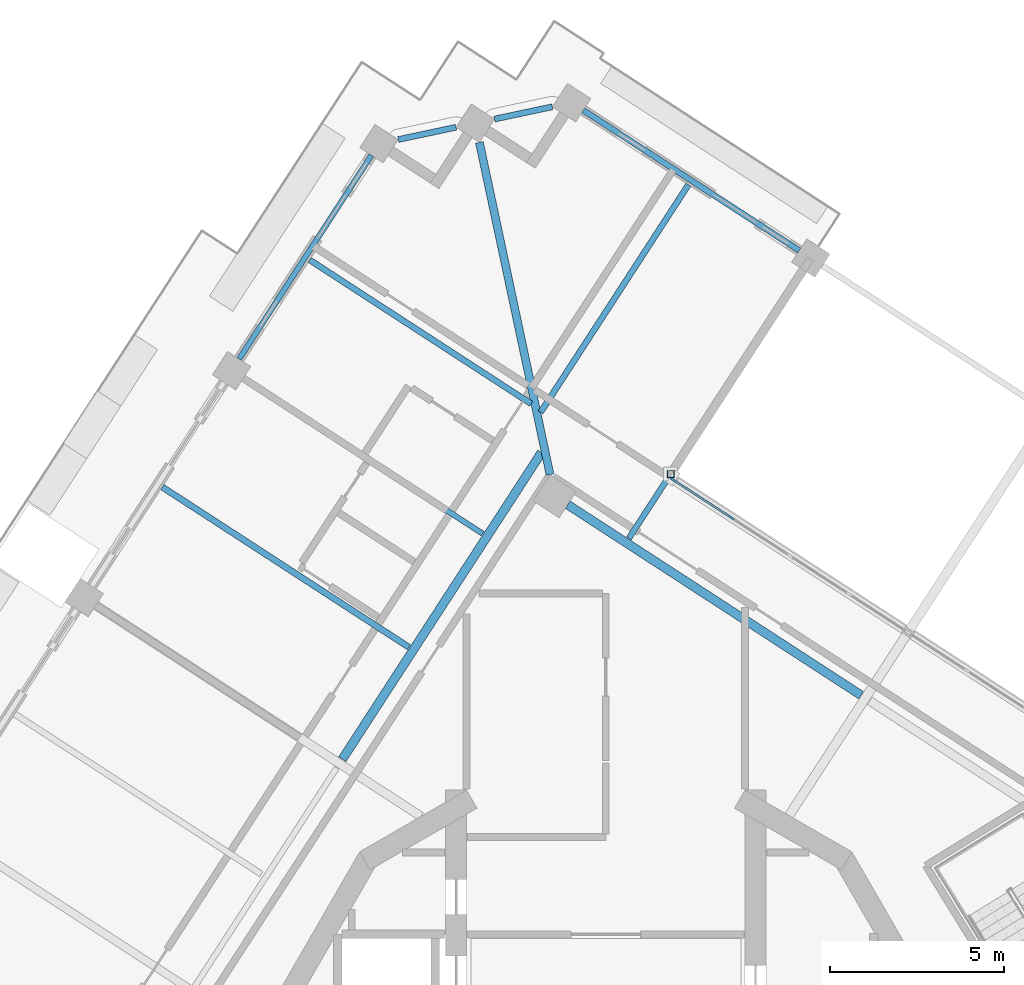
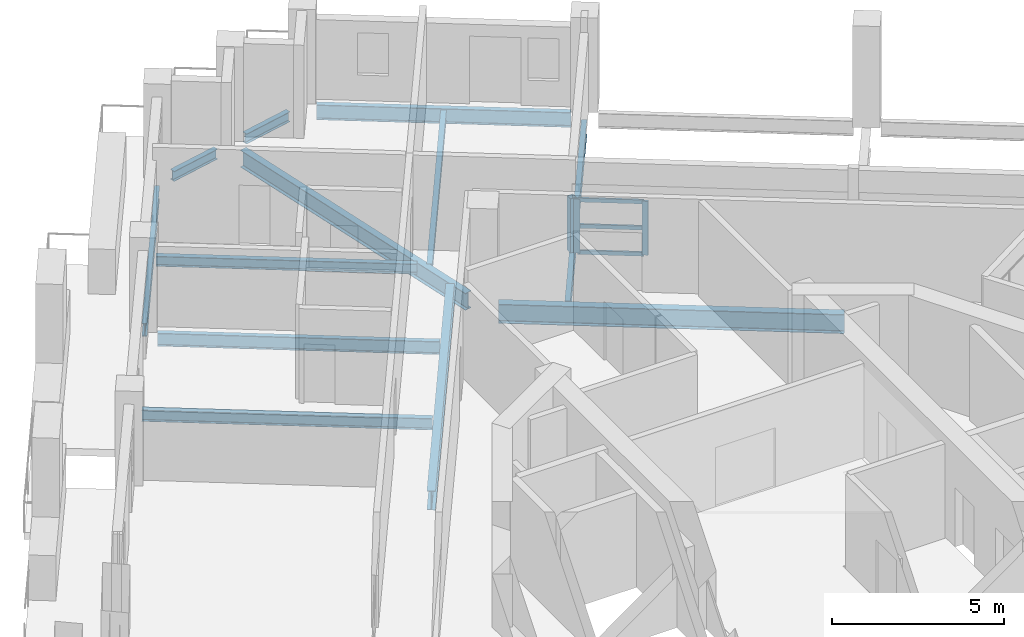
# One storey, part 2 of 17: 12 beams, 6 members, 1 element without a shape of its own.
"""IFC4 building model written with IfcOpenShell, lengths in metres."""

from ifc_helpers import new_model, si_unit, direction, frame, origin, origin_2d, place, context, subcontext, project, spatial, rectangle, hollow_rectangle, i_section, extrude, material, material_profile, profile_set, type_object, element, aggregate, save


model = new_model("IFC4")

# Units and contexts
model_context = context("Model", 3, precision=1e-05, world=origin(), true_north=direction((0.0, 1.0)))
body_context = subcontext(model_context, "Body", "Model", "MODEL_VIEW")
ifc_project = project(units=[si_unit("LENGTHUNIT", "METRE"), si_unit("AREAUNIT", "SQUARE_METRE"), si_unit("VOLUMEUNIT", "CUBIC_METRE"), si_unit("PLANEANGLEUNIT", "RADIAN"), si_unit("MASSUNIT", "GRAM", prefix="KILO")], contexts=[model_context])

# Site, building, storey
site_placement = place(None, origin())
site = spatial("IfcSite", under=ifc_project, at=site_placement, CompositionType="ELEMENT")
building_placement = place(site_placement, origin())
building = spatial("IfcBuilding", under=site, at=building_placement, Name="Cantera Rosa Tower", CompositionType="ELEMENT")
storey_placement = place(building_placement, frame((0.0, 0.0, 275.699951171875)))
storey = spatial("IfcBuildingStorey", under=building, at=storey_placement, Name="L62", CompositionType="ELEMENT", Elevation=275.699951171875)

# Curtain wall, members
ifc_material_1 = material(Name="Aluminium frame with clear glass", Category="aluminium")
curtain_wall_type = type_object("IfcCurtainWallType", Name="CW1 TERRACE POCKET GLAZING", PredefinedType="NOTDEFINED", material=ifc_material_1)
curtain_wall_placement = place(storey_placement, origin())
curtain_wall = element("IfcCurtainWall", 1, at=curtain_wall_placement, inside=storey, type_object=curtain_wall_type, Name="CW1 CW1", PredefinedType="NOTDEFINED")
ifc_material_2 = material(Name="Anodised bronze aluminium", Category="aluminium")
ifc_material_profile_1 = material_profile(ifc_material_2, rectangle(XDim=0.06005859375, YDim=0.179931640625, at=origin_2d()), Name="CW-MULLION 60x180 POCKET")
ifc_profile_set_1 = profile_set([ifc_material_profile_1], Name="Anodised bronze aluminium")
member_type_1 = type_object("IfcMemberType", Name="CW-MULLION 60x180 POCKET", PredefinedType="MULLION", material=ifc_profile_set_1)
member_1_placement = place(storey_placement, frame((3.60791015625, 16.67529296875, 0.0), z_axis=(0.0, 0.0, 1.0), x_axis=(-0.544639034971, -0.838670567974, 0.0)))
member_1 = element("IfcMember", 2, at=member_1_placement, type_object=member_type_1, Name="CW1 mullion 8", PredefinedType="MULLION", context=body_context, shape_type="SweptSolid", body=[
    extrude(rectangle(XDim=0.06005859375, YDim=0.179931640625, at=origin_2d()), origin(), (0.0, 0.0, 1.0), 1.912109375),
])
member_2_placement = place(storey_placement, frame((1.93994140625, 17.75830078125, 0.0), z_axis=(0.0, 0.0, 1.0), x_axis=(-0.544639034971, -0.838670567974, 0.0)))
member_2 = element("IfcMember", 3, at=member_2_placement, type_object=member_type_1, Name="CW1 mullion 9", PredefinedType="MULLION", context=body_context, shape_type="SweptSolid", body=[
    extrude(rectangle(XDim=0.06005859375, YDim=0.179931640625, at=origin_2d()), origin(), (0.0, 0.0, 1.0), 1.912109375),
])
ifc_material_3 = material(Name="Anodised bronze aluminium", Category="aluminium")
ifc_material_profile_2 = material_profile(ifc_material_3, rectangle(XDim=0.06005859375, YDim=0.139892578125, at=origin_2d()), Name="CW-TRANSOM 60x140 POCKET")
ifc_profile_set_2 = profile_set([ifc_material_profile_2], Name="Anodised bronze aluminium")
member_type_2 = type_object("IfcMemberType", Name="CW-TRANSOM 60x140 POCKET", PredefinedType="USERDEFINED", material=ifc_profile_set_2)
member_3_placement = place(storey_placement, frame((3.58251953125, 16.691650390625, 0.030029296875), z_axis=(-0.838631554261, 0.544699106111, 0.0), x_axis=(-0.544699106111, -0.838631554261, 0.0)))
member_3 = element("IfcMember", 4, at=member_3_placement, type_object=member_type_2, Name="CW1 transom 8.1", ObjectType="TRANSOM", PredefinedType="USERDEFINED", context=body_context, shape_type="SweptSolid", body=[
    extrude(rectangle(XDim=0.06005859375, YDim=0.139892578125, at=origin_2d()), origin(), (0.0, 0.0, 1.0), 1.9287109375),
])
member_4_placement = place(storey_placement, frame((3.58251953125, 16.691650390625, 0.9560546875), z_axis=(-0.838631554261, 0.544699106111, 0.0), x_axis=(-0.544699106111, -0.838631554261, 0.0)))
member_4 = element("IfcMember", 5, at=member_4_placement, type_object=member_type_2, Name="CW1 transom 8.2", ObjectType="TRANSOM", PredefinedType="USERDEFINED", context=body_context, shape_type="SweptSolid", body=[
    extrude(rectangle(XDim=0.06005859375, YDim=0.139892578125, at=origin_2d()), origin(), (0.0, 0.0, 1.0), 1.9287109375),
])
member_5_placement = place(storey_placement, frame((3.58251953125, 16.691650390625, 1.882080078125), z_axis=(-0.838631554261, 0.544699106111, 0.0), x_axis=(-0.544699106111, -0.838631554261, 0.0)))
member_5 = element("IfcMember", 6, at=member_5_placement, type_object=member_type_2, Name="CW1 transom 8.3", ObjectType="TRANSOM", PredefinedType="USERDEFINED", context=body_context, shape_type="SweptSolid", body=[
    extrude(rectangle(XDim=0.06005859375, YDim=0.139892578125, at=origin_2d()), origin(), (0.0, 0.0, 1.0), 1.9287109375),
])
aggregate(curtain_wall, [member_1, member_2, member_3, member_4, member_5])

# Member
ifc_material_4 = material(Name="Steel ASTM A992 (Fy 345 MPa)", Category="steel")
ifc_material_profile_3 = material_profile(ifc_material_4, hollow_rectangle(XDim=0.199951171875, YDim=0.199951171875, WallThickness=0.010009765625, at=origin_2d()), Name="LINTEL POST RHS 200x200x10")
ifc_profile_set_3 = profile_set([ifc_material_profile_3], Name="Steel ASTM A992 (Fy 345 MPa)")
member_type_3 = type_object("IfcMemberType", Name="LINTEL POST RHS 200x200x10", PredefinedType="USERDEFINED", material=ifc_profile_set_3)
member_6_placement = place(storey_placement, frame((1.864501953125, 17.9267578125, 0.0), z_axis=(0.0, 0.0, 1.0), x_axis=(1.0, 0.0, 0.0)))
element("IfcMember", 7, at=member_6_placement, inside=storey, type_object=member_type_3, Name="LINTEL POST L62-2", ObjectType="LINTEL POST", PredefinedType="USERDEFINED", context=body_context, shape_type="SweptSolid", body=[
    extrude(hollow_rectangle(XDim=0.199951171875, YDim=0.199951171875, WallThickness=0.010009765625, at=origin_2d()), origin(), (0.0, 0.0, 1.0), 1.9140625),
])

# Beams
ifc_material_5 = material(Name="Steel ASTM A992 (Fy 345 MPa)", Category="steel")
ifc_material_profile_4 = material_profile(ifc_material_5, i_section(OverallWidth=0.154052734375, OverallDepth=0.4599609375, WebThickness=0.009033203125, FlangeThickness=0.015380859375, FilletRadius=0.01025390625, at=origin_2d()), Name="W460X68")
ifc_profile_set_4 = profile_set([ifc_material_profile_4], Name="Steel ASTM A992 (Fy 345 MPa)")
beam_type_1 = type_object("IfcBeamType", Name="STEEL BEAM W460X68", PredefinedType="BEAM", material=ifc_profile_set_4)
beam_1_placement = place(storey_placement, frame((-10.41748046875, 20.68017578125, -0.47998046875), z_axis=(0.838672777751, -0.544635632198, 0.0), x_axis=(0.544635632198, 0.838672777751, 0.0)))
element("IfcBeam", 8, at=beam_1_placement, inside=storey, type_object=beam_type_1, Name="G-Z5-04 L62", PredefinedType="BEAM", context=body_context, shape_type="SweptSolid", body=[
    extrude(i_section(OverallWidth=0.154052734375, OverallDepth=0.4599609375, WebThickness=0.009033203125, FlangeThickness=0.015380859375, FilletRadius=0.01025390625, at=origin_2d()), origin(), (0.0, 0.0, 1.0), 8.2001953125),
])
ifc_material_6 = material(Name="Steel ASTM A992 (Fy 345 MPa)", Category="steel")
ifc_material_profile_5 = material_profile(ifc_material_6, i_section(OverallWidth=0.166015625, OverallDepth=0.528076171875, WebThickness=0.009765625, FlangeThickness=0.013671875, FilletRadius=0.0126953125, at=origin_2d()), Name="W530X74")
ifc_profile_set_5 = profile_set([ifc_material_profile_5], Name="Steel ASTM A992 (Fy 345 MPa)")
beam_type_2 = type_object("IfcBeamType", Name="STEEL BEAM W530X74", PredefinedType="BEAM", material=ifc_profile_set_5)
beam_2_placement = place(storey_placement, frame((5.6767578125, 23.79736328125, -0.513916015625), z_axis=(-0.544622654601, -0.838681205283, 0.0), x_axis=(0.838681205283, -0.544622654601, 0.0)))
element("IfcBeam", 9, at=beam_2_placement, inside=storey, type_object=beam_type_2, Name="G-Z5-03 L62", PredefinedType="BEAM", context=body_context, shape_type="SweptSolid", body=[
    extrude(i_section(OverallWidth=0.166015625, OverallDepth=0.528076171875, WebThickness=0.009765625, FlangeThickness=0.013671875, FilletRadius=0.0126953125, at=origin_2d()), origin(), (0.0, 0.0, 1.0), 9.199951171875),
])
ifc_material_7 = material(Name="Steel ASTM A992 (Fy 345 MPa)", Category="steel")
ifc_material_profile_6 = material_profile(ifc_material_7, i_section(OverallWidth=0.22802734375, OverallDepth=0.60205078125, WebThickness=0.010498046875, FlangeThickness=0.014892578125, FilletRadius=0.0126953125, at=origin_2d()), Name="W610X101")
ifc_profile_set_6 = profile_set([ifc_material_profile_6], Name="Steel ASTM A992 (Fy 345 MPa)")
beam_type_3 = type_object("IfcBeamType", Name="STEEL BEAM W610X101", PredefinedType="BEAM", material=ifc_profile_set_6)
beam_3_placement = place(storey_placement, frame((-3.63134765625, 27.45751953125, -0.551025390625), z_axis=(0.20790902572, -0.978148167214, 0.0), x_axis=(0.978148167214, 0.20790902572, 0.0)))
element("IfcBeam", 10, at=beam_3_placement, inside=storey, type_object=beam_type_3, Name="CB-Z5-01 L62", PredefinedType="BEAM", context=body_context, shape_type="SweptSolid", body=[
    extrude(i_section(OverallWidth=0.22802734375, OverallDepth=0.60205078125, WebThickness=0.010498046875, FlangeThickness=0.014892578125, FilletRadius=0.0126953125, at=origin_2d()), origin(), (0.0, 0.0, 1.0), 9.758056640625),
])
ifc_material_8 = material(Name="Steel ASTM A992 (Fy 345 MPa)", Category="steel")
ifc_material_profile_7 = material_profile(ifc_material_8, i_section(OverallWidth=0.25390625, OverallDepth=0.677978515625, WebThickness=0.01171875, FlangeThickness=0.016357421875, FilletRadius=0.01513671875, at=origin_2d()), Name="W690X125")
ifc_profile_set_7 = profile_set([ifc_material_profile_7], Name="Steel ASTM A992 (Fy 345 MPa)")
beam_type_4 = type_object("IfcBeamType", Name="STEEL BEAM W690X125", PredefinedType="BEAM", material=ifc_profile_set_7)
beam_4_placement = place(storey_placement, frame((-7.570068359375, 9.733154296875, -0.5888671875), z_axis=(0.544635575355, 0.838672814665, 0.0), x_axis=(-0.838672814665, 0.544635575355, 0.0)))
element("IfcBeam", 11, at=beam_4_placement, inside=storey, type_object=beam_type_4, Name="RB-Z5-03 L62", PredefinedType="BEAM", context=body_context, shape_type="SweptSolid", body=[
    extrude(i_section(OverallWidth=0.25390625, OverallDepth=0.677978515625, WebThickness=0.01171875, FlangeThickness=0.016357421875, FilletRadius=0.01513671875, at=origin_2d()), origin(), (0.0, 0.0, 1.0), 10.510009765625),
])
beam_5_placement = place(storey_placement, frame((7.335693359375, 11.571533203125, -0.5888671875), z_axis=(-0.838665001306, 0.544647606792, 0.0), x_axis=(-0.544647606792, -0.838665001306, 0.0)))
element("IfcBeam", 12, at=beam_5_placement, inside=storey, type_object=beam_type_4, Name="RB-Z5-08 L62", PredefinedType="BEAM", context=body_context, shape_type="SweptSolid", body=[
    extrude(i_section(OverallWidth=0.25390625, OverallDepth=0.677978515625, WebThickness=0.01171875, FlangeThickness=0.016357421875, FilletRadius=0.01513671875, at=origin_2d()), origin(), (0.0, 0.0, 1.0), 10.0498046875),
])
ifc_material_9 = material(Name="Steel ASTM A992 (Fy 345 MPa)", Category="steel")
ifc_material_profile_8 = material_profile(ifc_material_9, i_section(OverallWidth=0.1708984375, OverallDepth=0.35595703125, WebThickness=0.00732421875, FlangeThickness=0.01171875, FilletRadius=0.010009765625, at=origin_2d()), Name="W360X51")
ifc_profile_set_8 = profile_set([ifc_material_profile_8], Name="Steel ASTM A992 (Fy 345 MPa)")
beam_type_5 = type_object("IfcBeamType", Name="STEEL JOIST W360X51", PredefinedType="JOIST", material=ifc_profile_set_8)
beam_6_placement = place(storey_placement, frame((2.37451171875, 26.239990234375, -0.427978515625), z_axis=(-0.54465605183, -0.838659516851, 0.0), x_axis=(0.838659516851, -0.54465605183, 0.0)))
element("IfcBeam", 13, at=beam_6_placement, inside=storey, type_object=beam_type_5, Name="B-Z5-04 L62", PredefinedType="JOIST", context=body_context, shape_type="SweptSolid", body=[
    extrude(i_section(OverallWidth=0.1708984375, OverallDepth=0.35595703125, WebThickness=0.00732421875, FlangeThickness=0.01171875, FilletRadius=0.010009765625, at=origin_2d()), origin(), (0.0, 0.0, 1.0), 7.800048828125),
])
beam_7_placement = place(storey_placement, frame((-8.508544921875, 24.07861328125, -0.427978515625), z_axis=(0.838670629323, -0.544638940502, 0.0), x_axis=(0.544638940502, 0.838670629323, 0.0)))
element("IfcBeam", 14, at=beam_7_placement, inside=storey, type_object=beam_type_5, Name="B-Z5-05 L62", PredefinedType="JOIST", context=body_context, shape_type="SweptSolid", body=[
    extrude(i_section(OverallWidth=0.1708984375, OverallDepth=0.35595703125, WebThickness=0.00732421875, FlangeThickness=0.01171875, FilletRadius=0.010009765625, at=origin_2d()), origin(), (0.0, 0.0, 1.0), 7.58984375),
])
ifc_material_10 = material(Name="Steel ASTM A992 (Fy 345 MPa)", Category="steel")
ifc_material_profile_9 = material_profile(ifc_material_10, i_section(OverallWidth=0.177978515625, OverallDepth=0.406005859375, WebThickness=0.0078125, FlangeThickness=0.0126953125, FilletRadius=0.01025390625, at=origin_2d()), Name="W410X60")
ifc_profile_set_9 = profile_set([ifc_material_profile_9], Name="Steel ASTM A992 (Fy 345 MPa)")
beam_type_6 = type_object("IfcBeamType", Name="STEEL JOIST W410X60", PredefinedType="JOIST", material=ifc_profile_set_9)
beam_8_placement = place(storey_placement, frame((-12.745849609375, 17.5537109375, -0.452880859375), z_axis=(0.838683812595, -0.5446186395, 0.0), x_axis=(0.5446186395, 0.838683812595, 0.0)))
element("IfcBeam", 15, at=beam_8_placement, inside=storey, type_object=beam_type_6, Name="B-Z5-06 L62", PredefinedType="JOIST", context=body_context, shape_type="SweptSolid", body=[
    extrude(i_section(OverallWidth=0.177978515625, OverallDepth=0.406005859375, WebThickness=0.0078125, FlangeThickness=0.0126953125, FilletRadius=0.01025390625, at=origin_2d()), origin(), (0.0, 0.0, 1.0), 8.449951171875),
])
ifc_material_11 = material(Name="Steel ASTM A992 (Fy 345 MPa)", Category="steel")
ifc_material_profile_10 = material_profile(ifc_material_11, i_section(OverallWidth=0.1708984375, OverallDepth=0.35595703125, WebThickness=0.00732421875, FlangeThickness=0.01171875, FilletRadius=0.010009765625, at=origin_2d()), Name="W360X51")
ifc_profile_set_10 = profile_set([ifc_material_profile_10], Name="Steel ASTM A992 (Fy 345 MPa)")
beam_type_7 = type_object("IfcBeamType", Name="STEEL SPANDREL BEAM W360X51", PredefinedType="SPANDREL", material=ifc_profile_set_10)
for number, where, z_axis, x_axis, name in (
    (16, (-1.53564453125, 28.481201171875, -0.427978515625), (-0.978158850918, -0.20785875582, 0.0), (0.20785875582, -0.978158850918, 0.0), "EB-Z5-05 L62"),
    (17, (-4.30224609375, 27.893310546875, -0.427978515625), (-0.978129595322, -0.207996381593, 0.0), (0.207996381593, -0.978129595322, 0.0), "EB-Z5-06 L62"),
):
    element("IfcBeam", number, at=place(storey_placement, frame(where, z_axis=z_axis, x_axis=x_axis)), inside=storey, type_object=beam_type_7, Name=name, PredefinedType="SPANDREL", context=body_context, shape_type="SweptSolid", body=[
        extrude(i_section(OverallWidth=0.1708984375, OverallDepth=0.35595703125, WebThickness=0.00732421875, FlangeThickness=0.01171875, FilletRadius=0.010009765625, at=origin_2d()), origin(), (0.0, 0.0, 1.0), 1.697265625),
    ])
ifc_material_12 = material(Name="Steel ASTM A992 (Fy 345 MPa)", Category="steel")
ifc_material_profile_11 = material_profile(ifc_material_12, i_section(OverallWidth=0.154052734375, OverallDepth=0.4599609375, WebThickness=0.009033203125, FlangeThickness=0.015380859375, FilletRadius=0.01025390625, at=origin_2d()), Name="W460X68")
ifc_profile_set_11 = profile_set([ifc_material_profile_11], Name="Steel ASTM A992 (Fy 345 MPa)")
beam_type_8 = type_object("IfcBeamType", Name="STEEL SPANDREL BEAM W460X68", PredefinedType="SPANDREL", material=ifc_profile_set_11)
beam_9_placement = place(storey_placement, frame((-6.7333984375, 27.08740234375, -0.47998046875), z_axis=(-0.544651451949, -0.838662504164, 0.0), x_axis=(0.838662504164, -0.544651451949, 0.0)))
element("IfcBeam", 18, at=beam_9_placement, inside=storey, type_object=beam_type_8, Name="EB-Z5-07 L62", PredefinedType="SPANDREL", context=body_context, shape_type="SweptSolid", body=[
    extrude(i_section(OverallWidth=0.154052734375, OverallDepth=0.4599609375, WebThickness=0.009033203125, FlangeThickness=0.015380859375, FilletRadius=0.01025390625, at=origin_2d()), origin(), (0.0, 0.0, 1.0), 6.980224609375),
])
ifc_material_13 = material(Name="Steel ASTM A992 (Fy 345 MPa)", Category="steel")
ifc_material_profile_12 = material_profile(ifc_material_13, i_section(OverallWidth=0.166015625, OverallDepth=0.528076171875, WebThickness=0.009765625, FlangeThickness=0.013671875, FilletRadius=0.0126953125, at=origin_2d()), Name="W530X74")
ifc_profile_set_12 = profile_set([ifc_material_profile_12], Name="Steel ASTM A992 (Fy 345 MPa)")
beam_type_9 = type_object("IfcBeamType", Name="STEEL SPANDREL BEAM W530X74", PredefinedType="SPANDREL", material=ifc_profile_set_12)
beam_10_placement = place(storey_placement, frame((5.559326171875, 24.350830078125, -0.513916015625), z_axis=(-0.838679465365, 0.544625333946, 0.0), x_axis=(-0.544625333946, -0.838679465365, 0.0)))
element("IfcBeam", 19, at=beam_10_placement, inside=storey, type_object=beam_type_9, Name="EB-Z5-04 L62", PredefinedType="SPANDREL", context=body_context, shape_type="SweptSolid", body=[
    extrude(i_section(OverallWidth=0.166015625, OverallDepth=0.528076171875, WebThickness=0.009765625, FlangeThickness=0.013671875, FilletRadius=0.0126953125, at=origin_2d()), origin(), (0.0, 0.0, 1.0), 7.400146484375),
])

save(model, "model.ifc")
